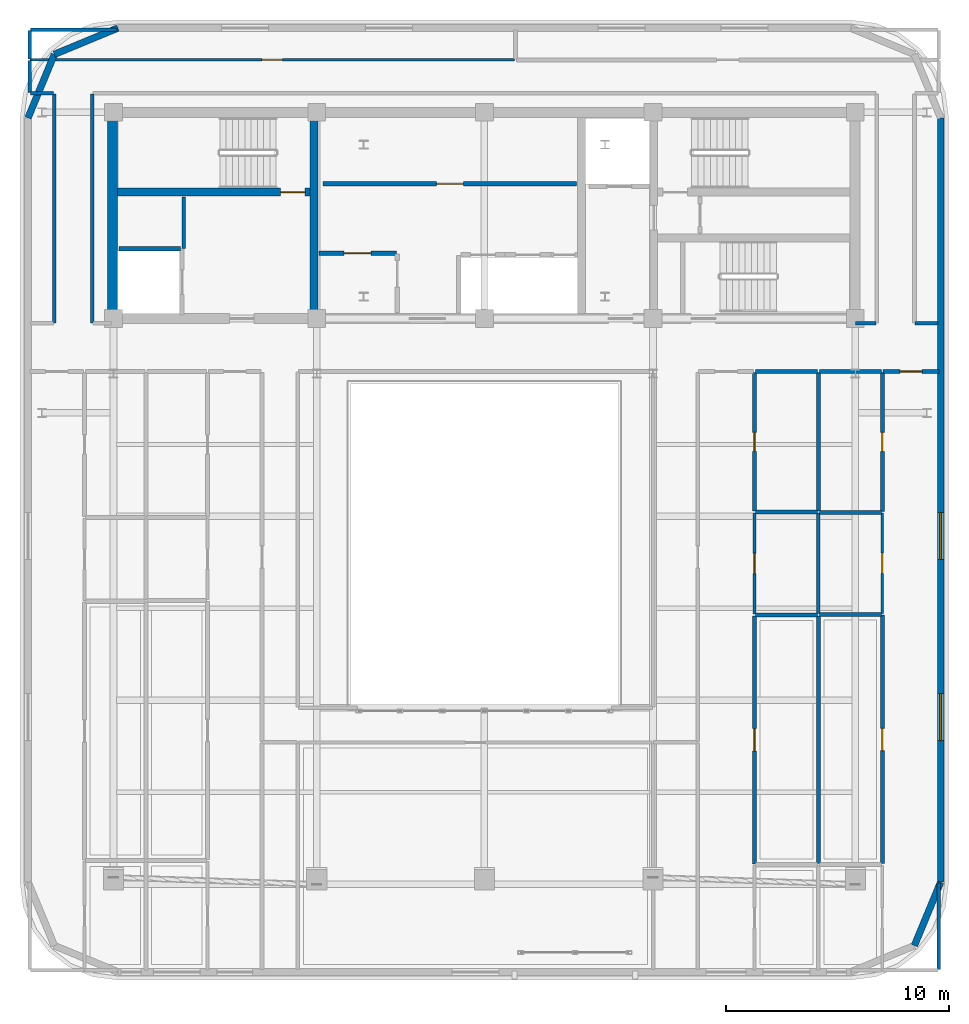
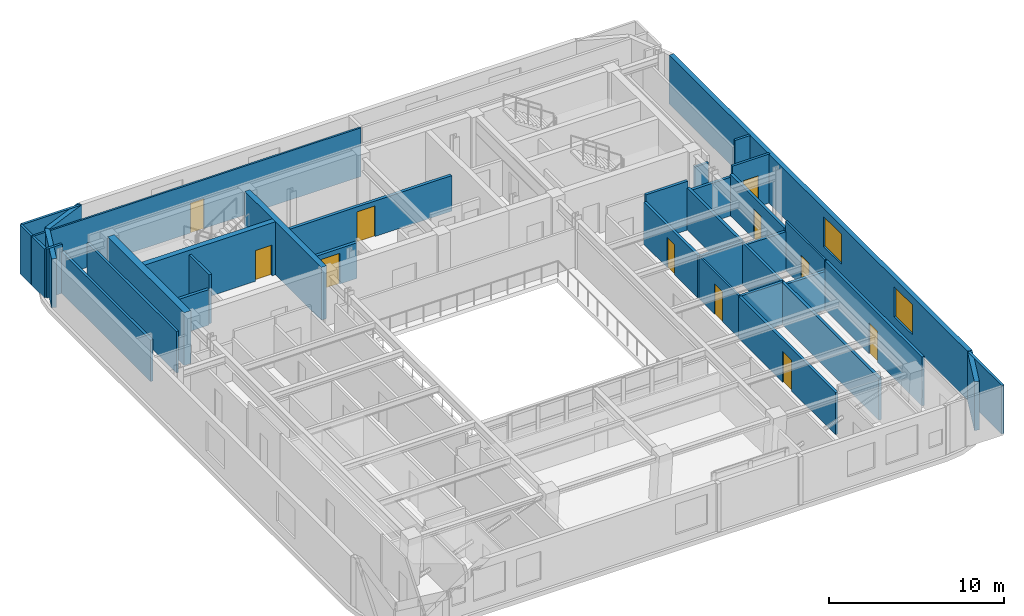
# One storey, part 9 of 14: 37 walls, 11 doors, 2 windows, 13 openings.
"""IFC4 building model written with IfcOpenShell, lengths in metres."""

from ifc_helpers import new_model, si_unit, direction, frame, frame_2d, origin, place, context, subcontext, project, spatial, rectangle, extrude, material, layer, layer_set, type_object, element, fill, save


model = new_model("IFC4")

# Units and contexts
model_context = context("Model", 3, precision=1e-05, world=origin(), true_north=direction((0.0, 1.0)))
body_context = subcontext(model_context, "Body", "Model", "MODEL_VIEW")
ifc_project = project(units=[si_unit("LENGTHUNIT", "METRE"), si_unit("AREAUNIT", "SQUARE_METRE"), si_unit("VOLUMEUNIT", "CUBIC_METRE"), si_unit("PLANEANGLEUNIT", "RADIAN"), si_unit("MASSUNIT", "GRAM", prefix="KILO")], contexts=[model_context])

# Site, building, storey
site_placement = place(None, origin())
site = spatial("IfcSite", under=ifc_project, at=site_placement, CompositionType="ELEMENT")
building_placement = place(site_placement, origin())
building = spatial("IfcBuilding", under=site, at=building_placement, Name="Zarnavel Station Tower", CompositionType="ELEMENT")
storey_placement = place(building_placement, frame((0.0, 0.0, 258.39990234375)))
storey = spatial("IfcBuildingStorey", under=building, at=storey_placement, Name="L70", CompositionType="ELEMENT", Elevation=258.39990234375)

# Wall
ifc_material_1 = material(Name="Concrete C50/60", Category="concrete")
ifc_layer_1 = layer(ifc_material_1, 0.35009765625)
ifc_layer_set_1 = layer_set([ifc_layer_1], Name="CW_350")
wall_type_1 = type_object("IfcWallType", Name="CW_350", PredefinedType="SHEAR", material=ifc_layer_set_1)
wall_1_placement = place(storey_placement, frame((21.179931640625, 28.044921875, 0.0), z_axis=(0.0, 0.0, 1.0), x_axis=(0.0, 1.0, 0.0)))
element("IfcWall", 1, at=wall_1_placement, inside=storey, type_object=wall_type_1, Name="L70 Rear Core Shear Wall DIV-W", PredefinedType="SHEAR", context=body_context, shape_type="SweptSolid", body=[
    extrude(rectangle(XDim=8.780029296875, YDim=0.35009765625, at=frame_2d((4.39013671875, 0.0))), origin(), (0.0, 0.0, 1.0), 3.7001953125),
])

# Wall, opening, door
wall_2_placement = place(storey_placement, frame((21.0048828125, 33.47998046875, 0.0), z_axis=(0.0, 0.0, 1.0), x_axis=(-1.0, 0.0, 0.0)))
wall_2 = element("IfcWall", 2, at=wall_2_placement, inside=storey, type_object=wall_type_1, Name="L70 Rear Core Shear Wall DIV-H1", PredefinedType="SHEAR", context=body_context, shape_type="SweptSolid", body=[
    extrude(rectangle(XDim=8.6298828125, YDim=0.35009765625, at=frame_2d((4.31494140625, 0.0))), origin(), (0.0, 0.0, 1.0), 3.7001953125),
])
opening_1_placement = place(wall_2_placement, frame((0.219970703125, 0.0, 0.0)))
opening_1 = element("IfcOpeningElement", 3, at=opening_1_placement, cuts=wall_2, Name="Opening FD01", PredefinedType="OPENING", context=body_context, shape_type="SweptSolid", body=[
    extrude(rectangle(XDim=1.10009765625, YDim=2.14990234375, at=frame_2d((0.550048828125, 1.074951171875))), frame((0.0, 0.18505859375, 0.0), z_axis=(0.0, -1.0, 0.0), x_axis=(1.0, 0.0, 0.0)), (0.0, 0.0, 1.0), 0.3701171875),
])
ifc_material_2 = material(Name="Painted Galvanised Steel and Hardwood Leaf", Category="steel")
door_type_1 = type_object("IfcDoorType", Name="ID_STAIR_1100", OperationType="NOTDEFINED", PredefinedType="DOOR", material=ifc_material_2)
door_1_placement = place(opening_1_placement, origin())
door_1 = element("IfcDoor", 4, at=door_1_placement, inside=storey, type_object=door_type_1, Name="L70 Stair ST1 Lobby Fire Door", OperationType="SINGLE_SWING_LEFT", OverallHeight=2.14990234375, OverallWidth=1.10009765625, PredefinedType="DOOR", context=body_context, shape_type="SweptSolid", body=[
    extrude(rectangle(XDim=1.10009765625, YDim=2.14990234375, at=frame_2d((0.550048828125, 1.074951171875))), frame((0.0, 0.02490234375, 0.0), z_axis=(0.0, -1.0, 0.0), x_axis=(1.0, 0.0, 0.0)), (0.0, 0.0, 1.0), 0.050048828125),
])
fill(opening_1, door_1)

# Walls
ifc_material_3 = material(Name="Concrete C50/60", Category="concrete")
ifc_layer_2 = layer(ifc_material_3, 0.449951171875)
ifc_layer_set_2 = layer_set([ifc_layer_2], Name="CW_450")
wall_type_2 = type_object("IfcWallType", Name="CW_450", PredefinedType="SHEAR", material=ifc_layer_set_2)
wall_3_placement = place(storey_placement, frame((12.14990234375, 28.044921875, 0.0), z_axis=(0.0, 0.0, 1.0), x_axis=(0.0, 1.0, 0.0)))
element("IfcWall", 5, at=wall_3_placement, inside=storey, type_object=wall_type_2, Name="L70 Rear Core Shear Wall W", PredefinedType="SHEAR", context=body_context, shape_type="SweptSolid", body=[
    extrude(rectangle(XDim=8.780029296875, YDim=0.449951171875, at=frame_2d((4.39013671875, 0.0))), origin(), (0.0, 0.0, 1.0), 3.7001953125),
])
ifc_material_4 = material(Name="Precast concrete C45/55 (Dark Basalt Finish)", Category="masonry")
ifc_layer_3 = layer(ifc_material_4, 0.300048828125)
ifc_layer_set_3 = layer_set([ifc_layer_3], Name="EW_BASALT_300")
wall_type_3 = type_object("IfcWallType", Name="EW_BASALT_300", PredefinedType="SOLIDWALL", material=ifc_layer_set_3)
wall_4_placement = place(storey_placement, frame((49.219970703125, 2.60009765625, 0.0), z_axis=(0.0, 0.0, 1.0), x_axis=(-0.382676475685, -0.923882414032, 0.0)))
element("IfcWall", 6, at=wall_4_placement, inside=storey, type_object=wall_type_3, Name="L70 Exterior Basalt Masonry Frame Wall 02", PredefinedType="SOLIDWALL", context=body_context, shape_type="SweptSolid", body=[
    extrude(rectangle(XDim=3.076904296875, YDim=0.300048828125, at=frame_2d((1.53857421875, 0.0))), origin(), (0.0, 0.0, 1.0), 3.420166015625),
])

# Wall, openings, windows
wall_5_placement = place(storey_placement, frame((49.219970703125, 36.800048828125, 0.0), z_axis=(0.0, 0.0, 1.0), x_axis=(0.0, -1.0, 0.0)))
wall_5 = element("IfcWall", 7, at=wall_5_placement, inside=storey, type_object=wall_type_3, Name="L70 Exterior Basalt Masonry Frame Wall 03", PredefinedType="SOLIDWALL", context=body_context, shape_type="SweptSolid", body=[
    extrude(rectangle(XDim=34.199951171875, YDim=0.300048828125, at=frame_2d((17.10009765625, 0.0))), origin(), (0.0, 0.0, 1.0), 3.420166015625),
])
opening_2_placement = place(wall_5_placement, frame((17.659912109375, 0.0, 0.75)))
opening_2 = element("IfcOpeningElement", 8, at=opening_2_placement, cuts=wall_5, Name="Opening WN05", PredefinedType="OPENING", context=body_context, shape_type="SweptSolid", body=[
    extrude(rectangle(XDim=2.10009765625, YDim=2.10009765625, at=frame_2d((1.050048828125, 1.050048828125))), frame((0.0, 0.159912109375, 0.0), z_axis=(0.0, -1.0, 0.0), x_axis=(1.0, 0.0, 0.0)), (0.0, 0.0, 1.0), 0.320068359375),
])
opening_3_placement = place(wall_5_placement, frame((25.77001953125, 0.0, 0.75)))
opening_3 = element("IfcOpeningElement", 9, at=opening_3_placement, cuts=wall_5, Name="Opening WN05", PredefinedType="OPENING", context=body_context, shape_type="SweptSolid", body=[
    extrude(rectangle(XDim=2.10009765625, YDim=2.10009765625, at=frame_2d((1.050048828125, 1.050048828125))), frame((0.0, 0.159912109375, 0.0), z_axis=(0.0, -1.0, 0.0), x_axis=(1.0, 0.0, 0.0)), (0.0, 0.0, 1.0), 0.320068359375),
])
ifc_material_5 = material(Name="Thermally Broken Black Aluminium and Low-E Dark Glass", Category="aluminium")
window_type = type_object("IfcWindowType", Name="WN_2100x2100", PartitioningType="TRIPLE_PANEL_VERTICAL", PredefinedType="WINDOW", material=ifc_material_5)
window_1_placement = place(opening_2_placement, origin())
window_1 = element("IfcWindow", 10, at=window_1_placement, inside=storey, type_object=window_type, Name="L70 Recessed Facade Window 01", OverallHeight=2.10009765625, OverallWidth=2.10009765625, PartitioningType="SINGLE_PANEL", PredefinedType="WINDOW", context=body_context, shape_type="SweptSolid", body=[
    extrude(rectangle(XDim=2.10009765625, YDim=2.10009765625, at=frame_2d((1.050048828125, 1.050048828125))), frame((0.0, 0.030029296875, 0.0), z_axis=(0.0, -1.0, 0.0), x_axis=(1.0, 0.0, 0.0)), (0.0, 0.0, 1.0), 0.06005859375),
])
fill(opening_2, window_1)
window_2_placement = place(opening_3_placement, origin())
window_2 = element("IfcWindow", 11, at=window_2_placement, inside=storey, type_object=window_type, Name="L70 Recessed Facade Window 02", OverallHeight=2.10009765625, OverallWidth=2.10009765625, PartitioningType="SINGLE_PANEL", PredefinedType="WINDOW", context=body_context, shape_type="SweptSolid", body=[
    extrude(rectangle(XDim=2.10009765625, YDim=2.10009765625, at=frame_2d((1.050048828125, 1.050048828125))), frame((0.0, 0.030029296875, 0.0), z_axis=(0.0, -1.0, 0.0), x_axis=(1.0, 0.0, 0.0)), (0.0, 0.0, 1.0), 0.06005859375),
])
fill(opening_3, window_2)

# Walls
for number, where, z_axis, x_axis, name in (
    (12, (9.557373046875, 39.642578125, 0.0), (0.0, 0.0, 1.0), (0.923870793506, 0.382704529509, 0.0), "L70 Exterior Basalt Masonry Frame Wall 07"),
    (13, (8.3798828125, 36.800048828125, 0.0), (0.0, 0.0, 1.0), (0.382704529509, 0.923870793506, 0.0), "L70 Exterior Basalt Masonry Frame Wall 08"),
):
    element("IfcWall", number, at=place(storey_placement, frame(where, z_axis=z_axis, x_axis=x_axis)), inside=storey, type_object=wall_type_3, Name=name, PredefinedType="SOLIDWALL", context=body_context, shape_type="SweptSolid", body=[
        extrude(rectangle(XDim=3.07666015625, YDim=0.300048828125, at=frame_2d((1.538330078125, 0.0))), origin(), (0.0, 0.0, 1.0), 3.420166015625),
    ])

# Wall, opening, door
ifc_material_6 = material(Name="Gypsum Twin-Stud Acoustic Fire Partition", Category="concrete")
ifc_layer_4 = layer(ifc_material_6, 0.159912109375)
ifc_layer_set_4 = layer_set([ifc_layer_4], Name="PT_DEMISE_160")
wall_type_4 = type_object("IfcWallType", Name="PT_DEMISE_160", PredefinedType="PARTITIONING", material=ifc_layer_set_4)
wall_6_placement = place(storey_placement, frame((46.64697265625, 25.449951171875, 0.0), z_axis=(0.0, 0.0, 1.0), x_axis=(1.0, 0.0, 0.0)))
wall_6 = element("IfcWall", 14, at=wall_6_placement, inside=storey, type_object=wall_type_4, Name="L70 Partition COR-S-UE2LV", PredefinedType="PARTITIONING", context=body_context, shape_type="SweptSolid", body=[
    extrude(rectangle(XDim=2.492919921875, YDim=0.159912109375, at=frame_2d((1.24658203125, 0.0))), origin(), (0.0, 0.0, 1.0), 3.420166015625),
])
opening_4_placement = place(wall_6_placement, frame((0.74658203125, 0.0, 0.0)))
opening_4 = element("IfcOpeningElement", 15, at=opening_4_placement, cuts=wall_6, Name="Opening FD02", PredefinedType="OPENING", context=body_context, shape_type="SweptSolid", body=[
    extrude(rectangle(XDim=1.0, YDim=2.14990234375, at=frame_2d((0.5, 1.074951171875))), frame((0.0, 0.08984375, 0.0), z_axis=(0.0, -1.0, 0.0), x_axis=(1.0, 0.0, 0.0)), (0.0, 0.0, 1.0), 0.179931640625),
])
ifc_material_7 = material(Name="Painted Galvanised Steel and Hardwood Leaf", Category="steel")
door_type_2 = type_object("IfcDoorType", Name="ID_ENTRY_1000", OperationType="NOTDEFINED", PredefinedType="DOOR", material=ifc_material_7)
door_2_placement = place(opening_4_placement, origin())
door_2 = element("IfcDoor", 16, at=door_2_placement, inside=storey, type_object=door_type_2, Name="L70 Door COR-S-UE2LV", OperationType="SINGLE_SWING_RIGHT", OverallHeight=2.14990234375, OverallWidth=1.0, PredefinedType="DOOR", context=body_context, shape_type="SweptSolid", body=[
    extrude(rectangle(XDim=1.0, YDim=2.14990234375, at=frame_2d((0.5, 1.074951171875))), frame((0.0, 0.02490234375, 0.0), z_axis=(0.0, -1.0, 0.0), x_axis=(1.0, 0.0, 0.0)), (0.0, 0.0, 1.0), 0.050048828125),
])
fill(opening_4, door_2)

# Walls
wall_7_placement = place(storey_placement, frame((43.75, 14.6259765625, 0.0), z_axis=(0.0, 0.0, 1.0), x_axis=(0.0, 1.0, 0.0)))
element("IfcWall", 17, at=wall_7_placement, inside=storey, type_object=wall_type_4, Name="L70 Partition UE1UT-UE2UT", PredefinedType="PARTITIONING", context=body_context, shape_type="SweptSolid", body=[
    extrude(rectangle(XDim=4.484130859375, YDim=0.159912109375, at=frame_2d((2.2421875, 0.0))), origin(), (0.0, 0.0, 1.0), 2.9501953125),
])
wall_8_placement = place(storey_placement, frame((15.35009765625, 30.9599609375, 0.0), z_axis=(0.0, 0.0, 1.0), x_axis=(0.0, 1.0, 0.0)))
element("IfcWall", 18, at=wall_8_placement, inside=storey, type_object=wall_type_4, Name="L70 Enclosure Wall FFL1", PredefinedType="PARTITIONING", context=body_context, shape_type="SweptSolid", body=[
    extrude(rectangle(XDim=2.31005859375, YDim=0.159912109375, at=frame_2d((1.155029296875, 0.0))), origin(), (0.0, 0.0, 1.0), 3.420166015625),
])
wall_9_placement = place(storey_placement, frame((45.409912109375, 27.60009765625, 0.0), z_axis=(0.0, 0.0, 1.0), x_axis=(1.0, 0.0, 0.0)))
element("IfcWall", 19, at=wall_9_placement, inside=storey, type_object=wall_type_4, Name="L70 Enclosure Wall COR-S", PredefinedType="PARTITIONING", context=body_context, shape_type="SweptSolid", body=[
    extrude(rectangle(XDim=0.91015625, YDim=0.159912109375, at=frame_2d((0.455078125, 0.0))), origin(), (0.0, 0.0, 1.0), 2.489990234375),
])
wall_10_placement = place(storey_placement, frame((48.080078125, 27.60009765625, 0.0), z_axis=(0.0, 0.0, 1.0), x_axis=(1.0, 0.0, 0.0)))
element("IfcWall", 20, at=wall_10_placement, inside=storey, type_object=wall_type_4, Name="L70 Enclosure Wall COR-S", PredefinedType="PARTITIONING", context=body_context, shape_type="SweptSolid", body=[
    extrude(rectangle(XDim=1.030029296875, YDim=0.159912109375, at=frame_2d((0.51513671875, 0.0))), origin(), (0.0, 0.0, 1.0), 3.420166015625),
])
for number, where, z_axis, x_axis, name in (
    (21, (9.550048828125, 27.6298828125, 0.0), (0.0, 0.0, 1.0), (0.0, 1.0, 0.0), "L70 Enclosure Wall COR-W"),
    (22, (11.25, 27.6298828125, 0.0), (0.0, 0.0, 1.0), (0.0, 1.0, 0.0), "L70 Enclosure Wall COR-W"),
):
    element("IfcWall", number, at=place(storey_placement, frame(where, z_axis=z_axis, x_axis=x_axis)), inside=storey, type_object=wall_type_4, Name=name, PredefinedType="PARTITIONING", context=body_context, shape_type="SweptSolid", body=[
        extrude(rectangle(XDim=10.240234375, YDim=0.159912109375, at=frame_2d((5.1201171875, 0.0))), origin(), (0.0, 0.0, 1.0), 2.900146484375),
    ])
wall_11_placement = place(storey_placement, frame((8.489990234375, 37.89990234375, 0.0), z_axis=(0.0, 0.0, 1.0), x_axis=(1.0, 0.0, 0.0)))
element("IfcWall", 23, at=wall_11_placement, inside=storey, type_object=wall_type_4, Name="L70 Enclosure Wall COR-N", PredefinedType="PARTITIONING", context=body_context, shape_type="SweptSolid", body=[
    extrude(rectangle(XDim=1.030029296875, YDim=0.159912109375, at=frame_2d((0.51513671875, 0.0))), origin(), (0.0, 0.0, 1.0), 3.420166015625),
])
wall_12_placement = place(storey_placement, frame((8.4599609375, 37.929931640625, 0.0), z_axis=(0.0, 0.0, 1.0), x_axis=(0.0, 1.0, 0.0)))
element("IfcWall", 24, at=wall_12_placement, inside=storey, type_object=wall_type_4, Name="L70 Enclosure Wall COR-N", PredefinedType="PARTITIONING", context=body_context, shape_type="SweptSolid", body=[
    extrude(rectangle(XDim=1.440185546875, YDim=0.159912109375, at=frame_2d((0.72021484375, 0.0))), origin(), (0.0, 0.0, 1.0), 3.420166015625),
])
wall_13_placement = place(storey_placement, frame((8.489990234375, 40.739990234375, 0.0), z_axis=(0.0, 0.0, 1.0), x_axis=(1.0, 0.0, 0.0)))
element("IfcWall", 25, at=wall_13_placement, inside=storey, type_object=wall_type_4, Name="L70 Enclosure Wall NLOU", PredefinedType="PARTITIONING", context=body_context, shape_type="SweptSolid", body=[
    extrude(rectangle(XDim=3.880126953125, YDim=0.159912109375, at=frame_2d((1.93994140625, 0.0))), origin(), (0.0, 0.0, 1.0), 3.420166015625),
])
wall_14_placement = place(storey_placement, frame((8.4599609375, 39.429931640625, 0.0), z_axis=(0.0, 0.0, 1.0), x_axis=(0.0, 1.0, 0.0)))
element("IfcWall", 26, at=wall_14_placement, inside=storey, type_object=wall_type_4, Name="L70 Enclosure Wall NLOU", PredefinedType="PARTITIONING", context=body_context, shape_type="SweptSolid", body=[
    extrude(rectangle(XDim=1.280029296875, YDim=0.159912109375, at=frame_2d((0.64013671875, 0.0))), origin(), (0.0, 0.0, 1.0), 3.420166015625),
])
wall_15_placement = place(storey_placement, frame((49.139892578125, -1.31005859375, 0.0), z_axis=(0.0, 0.0, 1.0), x_axis=(0.0, 1.0, 0.0)))
element("IfcWall", 27, at=wall_15_placement, inside=storey, type_object=wall_type_4, Name="L70 Enclosure Wall UE2LV", PredefinedType="PARTITIONING", context=body_context, shape_type="SweptSolid", body=[
    extrude(rectangle(XDim=3.880126953125, YDim=0.159912109375, at=frame_2d((1.93994140625, 0.0))), origin(), (0.0, 0.0, 1.0), 3.420166015625),
])

# Wall, opening, door
ifc_material_8 = material(Name="Gypsum Metal-Stud Interior Partition", Category="concrete")
ifc_layer_5 = layer(ifc_material_8, 0.1201171875)
ifc_layer_set_5 = layer_set([ifc_layer_5], Name="PT_ROOM_120")
wall_type_5 = type_object("IfcWallType", Name="PT_ROOM_120", PredefinedType="PARTITIONING", material=ifc_layer_set_5)
wall_16_placement = place(storey_placement, frame((8.4599609375, 39.39990234375, 0.0), z_axis=(0.0, 0.0, 1.0), x_axis=(1.0, 0.0, 0.0)))
wall_16 = element("IfcWall", 28, at=wall_16_placement, inside=storey, type_object=wall_type_5, Name="L70 Partition COR-N-NLOU", PredefinedType="PARTITIONING", context=body_context, shape_type="SweptSolid", body=[
    extrude(rectangle(XDim=21.699951171875, YDim=0.1201171875, at=frame_2d((10.85009765625, 0.0))), origin(), (0.0, 0.0, 1.0), 3.420166015625),
])
opening_5_placement = place(wall_16_placement, frame((10.39990234375, 0.0, 0.0)))
opening_5 = element("IfcOpeningElement", 29, at=opening_5_placement, cuts=wall_16, Name="Opening ID01", PredefinedType="OPENING", context=body_context, shape_type="SweptSolid", body=[
    extrude(rectangle(XDim=0.89990234375, YDim=2.10009765625, at=frame_2d((0.449951171875, 1.050048828125))), frame((0.0, 0.070068359375, 0.0), z_axis=(0.0, -1.0, 0.0), x_axis=(1.0, 0.0, 0.0)), (0.0, 0.0, 1.0), 0.14013671875),
])
ifc_material_9 = material(Name="Painted Galvanised Steel and Hardwood Leaf", Category="steel")
door_type_3 = type_object("IfcDoorType", Name="ID_ROOM_900", OperationType="NOTDEFINED", PredefinedType="DOOR", material=ifc_material_9)
door_3_placement = place(opening_5_placement, origin())
door_3 = element("IfcDoor", 30, at=door_3_placement, inside=storey, type_object=door_type_3, Name="L70 Door COR-N-NLOU", OperationType="SINGLE_SWING_RIGHT", OverallHeight=2.10009765625, OverallWidth=0.89990234375, PredefinedType="DOOR", context=body_context, shape_type="SweptSolid", body=[
    extrude(rectangle(XDim=0.89990234375, YDim=2.10009765625, at=frame_2d((0.449951171875, 1.050048828125))), frame((0.0, 0.02490234375, 0.0), z_axis=(0.0, -1.0, 0.0), x_axis=(1.0, 0.0, 0.0)), (0.0, 0.0, 1.0), 0.050048828125),
])
fill(opening_5, door_3)

wall_17_placement = place(storey_placement, frame((40.887939453125, 14.597900390625, 0.0), z_axis=(0.0, 0.0, 1.0), x_axis=(0.0, 1.0, 0.0)))
wall_17 = element("IfcWall", 31, at=wall_17_placement, inside=storey, type_object=wall_type_5, Name="L70 Partition UE1LV-UE1UT", PredefinedType="PARTITIONING", context=body_context, shape_type="SweptSolid", body=[
    extrude(rectangle(XDim=4.523193359375, YDim=0.1201171875, at=frame_2d((2.26171875, 0.0))), origin(), (0.0, 0.0, 1.0), 2.9501953125),
])
opening_6_placement = place(wall_17_placement, frame((1.8115234375, 0.0, 0.0)))
opening_6 = element("IfcOpeningElement", 32, at=opening_6_placement, cuts=wall_17, Name="Opening ID01", PredefinedType="OPENING", context=body_context, shape_type="SweptSolid", body=[
    extrude(rectangle(XDim=0.89990234375, YDim=2.10009765625, at=frame_2d((0.449951171875, 1.050048828125))), frame((0.0, 0.070068359375, 0.0), z_axis=(0.0, -1.0, 0.0), x_axis=(1.0, 0.0, 0.0)), (0.0, 0.0, 1.0), 0.14013671875),
])
door_4_placement = place(opening_6_placement, origin())
door_4 = element("IfcDoor", 33, at=door_4_placement, inside=storey, type_object=door_type_3, Name="L70 Door UE1LV-UE1UT", OperationType="SINGLE_SWING_RIGHT", OverallHeight=2.10009765625, OverallWidth=0.89990234375, PredefinedType="DOOR", context=body_context, shape_type="SweptSolid", body=[
    extrude(rectangle(XDim=0.89990234375, YDim=2.10009765625, at=frame_2d((0.449951171875, 1.050048828125))), frame((0.0, 0.02490234375, 0.0), z_axis=(0.0, -1.0, 0.0), x_axis=(1.0, 0.0, 0.0)), (0.0, 0.0, 1.0), 0.050048828125),
])
fill(opening_6, door_4)

wall_18_placement = place(storey_placement, frame((46.60693359375, 14.6259765625, 0.0), z_axis=(0.0, 0.0, 1.0), x_axis=(0.0, 1.0, 0.0)))
wall_18 = element("IfcWall", 34, at=wall_18_placement, inside=storey, type_object=wall_type_5, Name="L70 Partition UE2LV-UE2UT", PredefinedType="PARTITIONING", context=body_context, shape_type="SweptSolid", body=[
    extrude(rectangle(XDim=4.484130859375, YDim=0.1201171875, at=frame_2d((2.2421875, 0.0))), origin(), (0.0, 0.0, 1.0), 3.420166015625),
])
opening_7_placement = place(wall_18_placement, frame((1.7919921875, 0.0, 0.0)))
opening_7 = element("IfcOpeningElement", 35, at=opening_7_placement, cuts=wall_18, Name="Opening ID01", PredefinedType="OPENING", context=body_context, shape_type="SweptSolid", body=[
    extrude(rectangle(XDim=0.89990234375, YDim=2.10009765625, at=frame_2d((0.449951171875, 1.050048828125))), frame((0.0, 0.070068359375, 0.0), z_axis=(0.0, -1.0, 0.0), x_axis=(1.0, 0.0, 0.0)), (0.0, 0.0, 1.0), 0.14013671875),
])
door_5_placement = place(opening_7_placement, origin())
door_5 = element("IfcDoor", 36, at=door_5_placement, inside=storey, type_object=door_type_3, Name="L70 Door UE2LV-UE2UT", OperationType="SINGLE_SWING_RIGHT", OverallHeight=2.10009765625, OverallWidth=0.89990234375, PredefinedType="DOOR", context=body_context, shape_type="SweptSolid", body=[
    extrude(rectangle(XDim=0.89990234375, YDim=2.10009765625, at=frame_2d((0.449951171875, 1.050048828125))), frame((0.0, 0.02490234375, 0.0), z_axis=(0.0, -1.0, 0.0), x_axis=(1.0, 0.0, 0.0)), (0.0, 0.0, 1.0), 0.050048828125),
])
fill(opening_7, door_5)

# Wall
ifc_material_10 = material(Name="Precast concrete C45/55 (Fire Shaft Blockwork)", Category="masonry")
ifc_layer_6 = layer(ifc_material_10, 0.199951171875)
ifc_layer_set_6 = layer_set([ifc_layer_6], Name="PT_SHAFT_200")
wall_type_6 = type_object("IfcWallType", Name="PT_SHAFT_200", PredefinedType="PARTITIONING", material=ifc_layer_set_6)
wall_19_placement = place(storey_placement, frame((12.449951171875, 30.949951171875, 0.0), z_axis=(0.0, 0.0, 1.0), x_axis=(1.0, 0.0, 0.0)))
element("IfcWall", 37, at=wall_19_placement, inside=storey, type_object=wall_type_6, Name="L70 Lift FFL-01 North Shaft Wall", PredefinedType="PARTITIONING", context=body_context, shape_type="SweptSolid", body=[
    extrude(rectangle(XDim=2.75, YDim=0.199951171875, at=frame_2d((1.375, 0.0))), origin(), (0.0, 0.0, 1.0), 2.489990234375),
])

# Wall, opening, door
wall_20_placement = place(storey_placement, frame((21.39990234375, 30.75, 0.0), z_axis=(0.0, 0.0, 1.0), x_axis=(1.0, 0.0, 0.0)))
wall_20 = element("IfcWall", 38, at=wall_20_placement, inside=storey, type_object=wall_type_6, Name="L70 Partition LLOB-CS1", PredefinedType="PARTITIONING", context=body_context, shape_type="SweptSolid", body=[
    extrude(rectangle(XDim=3.460205078125, YDim=0.199951171875, at=frame_2d((1.72998046875, 0.0))), origin(), (0.0, 0.0, 1.0), 2.489990234375),
])
opening_8_placement = place(wall_20_placement, frame((1.1298828125, 0.0, 0.0)))
opening_8 = element("IfcOpeningElement", 39, at=opening_8_placement, cuts=wall_20, Name="Opening FD03", PredefinedType="OPENING", context=body_context, shape_type="SweptSolid", body=[
    extrude(rectangle(XDim=1.199951171875, YDim=2.14990234375, at=frame_2d((0.60009765625, 1.074951171875))), frame((0.0, 0.10986328125, 0.0), z_axis=(0.0, -1.0, 0.0), x_axis=(1.0, 0.0, 0.0)), (0.0, 0.0, 1.0), 0.219970703125),
])
ifc_material_11 = material(Name="Painted Galvanised Steel and Hardwood Leaf", Category="steel")
door_type_4 = type_object("IfcDoorType", Name="ID_PLANT_1200", OperationType="NOTDEFINED", PredefinedType="DOOR", material=ifc_material_11)
door_6_placement = place(opening_8_placement, origin())
door_6 = element("IfcDoor", 40, at=door_6_placement, inside=storey, type_object=door_type_4, Name="L70 Door LLOB-CS1", OperationType="SINGLE_SWING_RIGHT", OverallHeight=2.14990234375, OverallWidth=1.199951171875, PredefinedType="DOOR", context=body_context, shape_type="SweptSolid", body=[
    extrude(rectangle(XDim=1.199951171875, YDim=2.14990234375, at=frame_2d((0.60009765625, 1.074951171875))), frame((0.0, 0.02490234375, 0.0), z_axis=(0.0, -1.0, 0.0), x_axis=(1.0, 0.0, 0.0)), (0.0, 0.0, 1.0), 0.050048828125),
])
fill(opening_8, door_6)

wall_21_placement = place(storey_placement, frame((21.590087890625, 33.85009765625, 0.0), z_axis=(0.0, 0.0, 1.0), x_axis=(1.0, 0.0, 0.0)))
wall_21 = element("IfcWall", 41, at=wall_21_placement, inside=storey, type_object=wall_type_6, Name="L70 Partition LLOB-FB2A", PredefinedType="PARTITIONING", context=body_context, shape_type="SweptSolid", body=[
    extrude(rectangle(XDim=11.33984375, YDim=0.199951171875, at=frame_2d((5.669921875, 0.0))), origin(), (0.0, 0.0, 1.0), 2.489990234375),
])
opening_9_placement = place(wall_21_placement, frame((5.070068359375, 0.0, 0.0)))
opening_9 = element("IfcOpeningElement", 42, at=opening_9_placement, cuts=wall_21, Name="Opening FD03", PredefinedType="OPENING", context=body_context, shape_type="SweptSolid", body=[
    extrude(rectangle(XDim=1.199951171875, YDim=2.14990234375, at=frame_2d((0.60009765625, 1.074951171875))), frame((0.0, 0.10986328125, 0.0), z_axis=(0.0, -1.0, 0.0), x_axis=(1.0, 0.0, 0.0)), (0.0, 0.0, 1.0), 0.219970703125),
])
door_7_placement = place(opening_9_placement, origin())
door_7 = element("IfcDoor", 43, at=door_7_placement, inside=storey, type_object=door_type_4, Name="L70 Door LLOB-FB2A", OperationType="SINGLE_SWING_LEFT", OverallHeight=2.14990234375, OverallWidth=1.199951171875, PredefinedType="DOOR", context=body_context, shape_type="SweptSolid", body=[
    extrude(rectangle(XDim=1.199951171875, YDim=2.14990234375, at=frame_2d((0.60009765625, 1.074951171875))), frame((0.0, 0.02490234375, 0.0), z_axis=(0.0, -1.0, 0.0), x_axis=(1.0, 0.0, 0.0)), (0.0, 0.0, 1.0), 0.050048828125),
])
fill(opening_9, door_7)

# Walls
ifc_material_12 = material(Name="Moisture-Resistant Plumbing Chase Wall", Category="concrete")
ifc_layer_7 = layer(ifc_material_12, 0.179931640625)
ifc_layer_set_7 = layer_set([ifc_layer_7], Name="PW_PLUMB_180")
wall_type_7 = type_object("IfcWallType", Name="PW_PLUMB_180", PredefinedType="PLUMBINGWALL", material=ifc_layer_set_7)
wall_22_placement = place(storey_placement, frame((40.927978515625, 25.449951171875, 0.0), z_axis=(0.0, 0.0, 1.0), x_axis=(1.0, 0.0, 0.0)))
element("IfcWall", 44, at=wall_22_placement, inside=storey, type_object=wall_type_7, Name="L70 Partition COR-S-UE1BA", PredefinedType="PLUMBINGWALL", context=body_context, shape_type="SweptSolid", body=[
    extrude(rectangle(XDim=2.781982421875, YDim=0.179931640625, at=frame_2d((1.39111328125, 0.0))), origin(), (0.0, 0.0, 1.0), 3.420166015625),
])
wall_23_placement = place(storey_placement, frame((43.7900390625, 25.449951171875, 0.0), z_axis=(0.0, 0.0, 1.0), x_axis=(1.0, 0.0, 0.0)))
element("IfcWall", 45, at=wall_23_placement, inside=storey, type_object=wall_type_7, Name="L70 Partition COR-S-UE2BA", PredefinedType="PLUMBINGWALL", context=body_context, shape_type="SweptSolid", body=[
    extrude(rectangle(XDim=2.77685546875, YDim=0.179931640625, at=frame_2d((1.388427734375, 0.0))), origin(), (0.0, 0.0, 1.0), 2.7001953125),
])

# Wall, opening, door
wall_24_placement = place(storey_placement, frame((40.887939453125, 3.4169921875, 0.0), z_axis=(0.0, 0.0, 1.0), x_axis=(0.0, 1.0, 0.0)))
wall_24 = element("IfcWall", 46, at=wall_24_placement, inside=storey, type_object=wall_type_7, Name="L70 Partition UE1LV-UE1KT", PredefinedType="PLUMBINGWALL", context=body_context, shape_type="SweptSolid", body=[
    extrude(rectangle(XDim=11.10107421875, YDim=0.179931640625, at=frame_2d((5.550537109375, 0.0))), origin(), (0.0, 0.0, 1.0), 2.9501953125),
])
opening_10_placement = place(wall_24_placement, frame((5.050537109375, 0.0, 0.0)))
opening_10 = element("IfcOpeningElement", 47, at=opening_10_placement, cuts=wall_24, Name="Opening FD02", PredefinedType="OPENING", context=body_context, shape_type="SweptSolid", body=[
    extrude(rectangle(XDim=1.0, YDim=2.14990234375, at=frame_2d((0.5, 1.074951171875))), frame((0.0, 0.099853515625, 0.0), z_axis=(0.0, -1.0, 0.0), x_axis=(1.0, 0.0, 0.0)), (0.0, 0.0, 1.0), 0.199951171875),
])
door_8_placement = place(opening_10_placement, origin())
door_8 = element("IfcDoor", 48, at=door_8_placement, inside=storey, type_object=door_type_2, Name="L70 Door UE1LV-UE1KT", OperationType="SINGLE_SWING_LEFT", OverallHeight=2.14990234375, OverallWidth=1.0, PredefinedType="DOOR", context=body_context, shape_type="SweptSolid", body=[
    extrude(rectangle(XDim=1.0, YDim=2.14990234375, at=frame_2d((0.5, 1.074951171875))), frame((0.0, 0.02490234375, 0.0), z_axis=(0.0, -1.0, 0.0), x_axis=(1.0, 0.0, 0.0)), (0.0, 0.0, 1.0), 0.050048828125),
])
fill(opening_10, door_8)

wall_25_placement = place(storey_placement, frame((40.887939453125, 19.200927734375, 0.0), z_axis=(0.0, 0.0, 1.0), x_axis=(0.0, 1.0, 0.0)))
wall_25 = element("IfcWall", 49, at=wall_25_placement, inside=storey, type_object=wall_type_7, Name="L70 Partition UE1LV-UE1BA", PredefinedType="PLUMBINGWALL", context=body_context, shape_type="SweptSolid", body=[
    extrude(rectangle(XDim=6.208984375, YDim=0.179931640625, at=frame_2d((3.1044921875, 0.0))), origin(), (0.0, 0.0, 1.0), 2.9501953125),
])
opening_11_placement = place(wall_25_placement, frame((2.679443359375, 0.0, 0.0)))
opening_11 = element("IfcOpeningElement", 50, at=opening_11_placement, cuts=wall_25, Name="Opening ID02", PredefinedType="OPENING", context=body_context, shape_type="SweptSolid", body=[
    extrude(rectangle(XDim=0.85009765625, YDim=2.10009765625, at=frame_2d((0.425048828125, 1.050048828125))), frame((0.0, 0.099853515625, 0.0), z_axis=(0.0, -1.0, 0.0), x_axis=(1.0, 0.0, 0.0)), (0.0, 0.0, 1.0), 0.199951171875),
])
ifc_material_13 = material(Name="Painted Galvanised Steel and Hardwood Leaf", Category="steel")
door_type_5 = type_object("IfcDoorType", Name="ID_BATH_850", OperationType="NOTDEFINED", PredefinedType="DOOR", material=ifc_material_13)
door_9_placement = place(opening_11_placement, origin())
door_9 = element("IfcDoor", 51, at=door_9_placement, inside=storey, type_object=door_type_5, Name="L70 Door UE1LV-UE1BA", OperationType="SINGLE_SWING_LEFT", OverallHeight=2.10009765625, OverallWidth=0.85009765625, PredefinedType="DOOR", context=body_context, shape_type="SweptSolid", body=[
    extrude(rectangle(XDim=0.85009765625, YDim=2.10009765625, at=frame_2d((0.425048828125, 1.050048828125))), frame((0.0, 0.02490234375, 0.0), z_axis=(0.0, -1.0, 0.0), x_axis=(1.0, 0.0, 0.0)), (0.0, 0.0, 1.0), 0.050048828125),
])
fill(opening_11, door_9)

# Walls
wall_26_placement = place(storey_placement, frame((40.927978515625, 14.55810546875, 0.0), z_axis=(0.0, 0.0, 1.0), x_axis=(1.0, 0.0, 0.0)))
element("IfcWall", 52, at=wall_26_placement, inside=storey, type_object=wall_type_7, Name="L70 Partition UE1KT-UE1UT", PredefinedType="PLUMBINGWALL", context=body_context, shape_type="SweptSolid", body=[
    extrude(rectangle(XDim=2.781982421875, YDim=0.179931640625, at=frame_2d((1.39111328125, 0.0))), origin(), (0.0, 0.0, 1.0), 2.9501953125),
])
wall_27_placement = place(storey_placement, frame((43.75, 3.425048828125, 0.0), z_axis=(0.0, 0.0, 1.0), x_axis=(0.0, 1.0, 0.0)))
element("IfcWall", 53, at=wall_27_placement, inside=storey, type_object=wall_type_7, Name="L70 Partition UE1KT-UE2KT", PredefinedType="PLUMBINGWALL", context=body_context, shape_type="SweptSolid", body=[
    extrude(rectangle(XDim=11.093017578125, YDim=0.179931640625, at=frame_2d((5.54638671875, 0.0))), origin(), (0.0, 0.0, 1.0), 2.9501953125),
])
wall_28_placement = place(storey_placement, frame((40.927978515625, 19.160888671875, 0.0), z_axis=(0.0, 0.0, 1.0), x_axis=(1.0, 0.0, 0.0)))
element("IfcWall", 54, at=wall_28_placement, inside=storey, type_object=wall_type_7, Name="L70 Partition UE1UT-UE1BA", PredefinedType="PLUMBINGWALL", context=body_context, shape_type="SweptSolid", body=[
    extrude(rectangle(XDim=2.781982421875, YDim=0.179931640625, at=frame_2d((1.39111328125, 0.0))), origin(), (0.0, 0.0, 1.0), 2.960205078125),
])
wall_29_placement = place(storey_placement, frame((43.75, 19.200927734375, 0.0), z_axis=(0.0, 0.0, 1.0), x_axis=(0.0, 1.0, 0.0)))
element("IfcWall", 55, at=wall_29_placement, inside=storey, type_object=wall_type_7, Name="L70 Partition UE1BA-UE2BA", PredefinedType="PLUMBINGWALL", context=body_context, shape_type="SweptSolid", body=[
    extrude(rectangle(XDim=6.208984375, YDim=0.179931640625, at=frame_2d((3.1044921875, 0.0))), origin(), (0.0, 0.0, 1.0), 2.9501953125),
])

# Wall, opening, door
wall_30_placement = place(storey_placement, frame((46.60693359375, 3.425048828125, 0.0), z_axis=(0.0, 0.0, 1.0), x_axis=(0.0, 1.0, 0.0)))
wall_30 = element("IfcWall", 56, at=wall_30_placement, inside=storey, type_object=wall_type_7, Name="L70 Partition UE2LV-UE2KT", PredefinedType="PLUMBINGWALL", context=body_context, shape_type="SweptSolid", body=[
    extrude(rectangle(XDim=11.120849609375, YDim=0.179931640625, at=frame_2d((5.560546875, 0.0))), origin(), (0.0, 0.0, 1.0), 3.420166015625),
])
opening_12_placement = place(wall_30_placement, frame((5.060546875, 0.0, 0.0)))
opening_12 = element("IfcOpeningElement", 57, at=opening_12_placement, cuts=wall_30, Name="Opening FD02", PredefinedType="OPENING", context=body_context, shape_type="SweptSolid", body=[
    extrude(rectangle(XDim=1.0, YDim=2.14990234375, at=frame_2d((0.5, 1.074951171875))), frame((0.0, 0.099853515625, 0.0), z_axis=(0.0, -1.0, 0.0), x_axis=(1.0, 0.0, 0.0)), (0.0, 0.0, 1.0), 0.199951171875),
])
door_10_placement = place(opening_12_placement, origin())
door_10 = element("IfcDoor", 58, at=door_10_placement, inside=storey, type_object=door_type_2, Name="L70 Door UE2LV-UE2KT", OperationType="SINGLE_SWING_LEFT", OverallHeight=2.14990234375, OverallWidth=1.0, PredefinedType="DOOR", context=body_context, shape_type="SweptSolid", body=[
    extrude(rectangle(XDim=1.0, YDim=2.14990234375, at=frame_2d((0.5, 1.074951171875))), frame((0.0, 0.02490234375, 0.0), z_axis=(0.0, -1.0, 0.0), x_axis=(1.0, 0.0, 0.0)), (0.0, 0.0, 1.0), 0.050048828125),
])
fill(opening_12, door_10)

wall_31_placement = place(storey_placement, frame((46.60693359375, 19.18994140625, 0.0), z_axis=(0.0, 0.0, 1.0), x_axis=(0.0, 1.0, 0.0)))
wall_31 = element("IfcWall", 59, at=wall_31_placement, inside=storey, type_object=wall_type_7, Name="L70 Partition UE2LV-UE2BA", PredefinedType="PLUMBINGWALL", context=body_context, shape_type="SweptSolid", body=[
    extrude(rectangle(XDim=6.219970703125, YDim=0.179931640625, at=frame_2d((3.10986328125, 0.0))), origin(), (0.0, 0.0, 1.0), 2.900146484375),
])
opening_13_placement = place(wall_31_placement, frame((2.68505859375, 0.0, 0.0)))
opening_13 = element("IfcOpeningElement", 60, at=opening_13_placement, cuts=wall_31, Name="Opening ID02", PredefinedType="OPENING", context=body_context, shape_type="SweptSolid", body=[
    extrude(rectangle(XDim=0.85009765625, YDim=2.10009765625, at=frame_2d((0.425048828125, 1.050048828125))), frame((0.0, 0.099853515625, 0.0), z_axis=(0.0, -1.0, 0.0), x_axis=(1.0, 0.0, 0.0)), (0.0, 0.0, 1.0), 0.199951171875),
])
door_11_placement = place(opening_13_placement, origin())
door_11 = element("IfcDoor", 61, at=door_11_placement, inside=storey, type_object=door_type_5, Name="L70 Door UE2LV-UE2BA", OperationType="SINGLE_SWING_LEFT", OverallHeight=2.10009765625, OverallWidth=0.85009765625, PredefinedType="DOOR", context=body_context, shape_type="SweptSolid", body=[
    extrude(rectangle(XDim=0.85009765625, YDim=2.10009765625, at=frame_2d((0.425048828125, 1.050048828125))), frame((0.0, 0.02490234375, 0.0), z_axis=(0.0, -1.0, 0.0), x_axis=(1.0, 0.0, 0.0)), (0.0, 0.0, 1.0), 0.050048828125),
])
fill(opening_13, door_11)

# Walls
for number, where, z_axis, x_axis, name in (
    (62, (43.7900390625, 14.5859375, 0.0), (0.0, 0.0, 1.0), (1.0, 0.0, 0.0), "L70 Partition UE2KT-UE2UT"),
    (63, (43.7900390625, 19.14990234375, 0.0), (0.0, 0.0, 1.0), (1.0, 0.0, 0.0), "L70 Partition UE2UT-UE2BA"),
):
    element("IfcWall", number, at=place(storey_placement, frame(where, z_axis=z_axis, x_axis=x_axis)), inside=storey, type_object=wall_type_7, Name=name, PredefinedType="PLUMBINGWALL", context=body_context, shape_type="SweptSolid", body=[
        extrude(rectangle(XDim=2.77685546875, YDim=0.179931640625, at=frame_2d((1.388427734375, 0.0))), origin(), (0.0, 0.0, 1.0), 2.7001953125),
    ])

save(model, "model.ifc")
